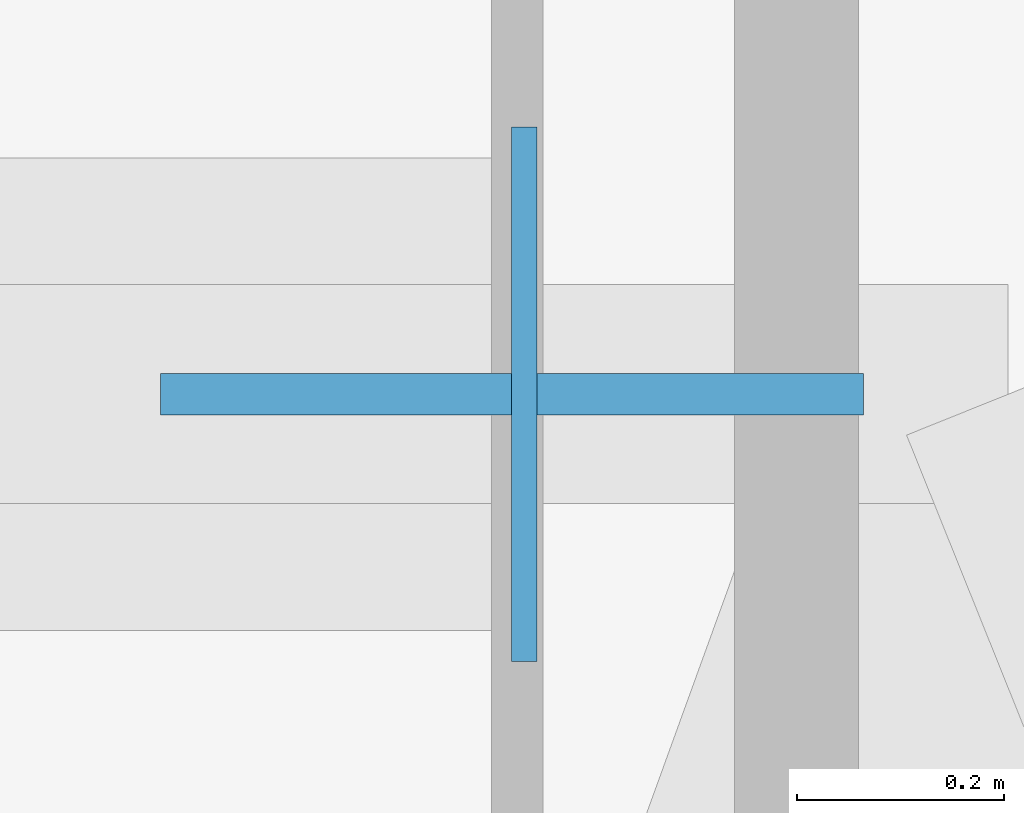
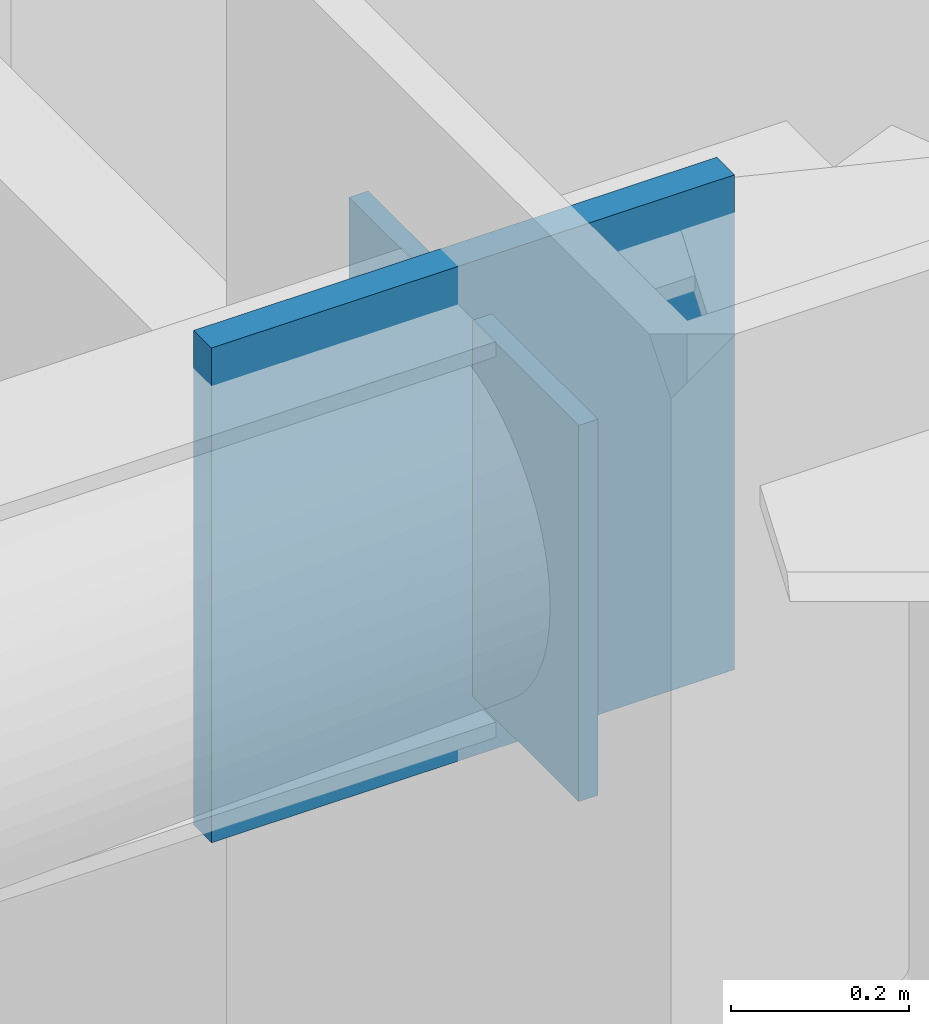
# One storey, part 10 of 19: 2 plates.
"""IFC4 building model written with IfcOpenShell, lengths in metres."""

from ifc_helpers import new_model, si_unit, direction, frame, origin, origin_2d, place, context, subcontext, project, spatial, rectangle, extrude, material, layer, layer_set, type_object, element, save


model = new_model("IFC4")

# Units and contexts
model_context = context("Model", 3, precision=1e-05, world=origin(), true_north=direction((0.0, 1.0)))
body_context = subcontext(model_context, "Body", "Model", "MODEL_VIEW")
ifc_project = project(units=[si_unit("LENGTHUNIT", "METRE"), si_unit("AREAUNIT", "SQUARE_METRE"), si_unit("VOLUMEUNIT", "CUBIC_METRE"), si_unit("PLANEANGLEUNIT", "RADIAN"), si_unit("MASSUNIT", "GRAM", prefix="KILO")], contexts=[model_context])

# Site, building, storey
site_placement = place(None, origin())
site = spatial("IfcSite", under=ifc_project, at=site_placement, CompositionType="ELEMENT")
building_placement = place(site_placement, origin())
building = spatial("IfcBuilding", under=site, at=building_placement, Name="Khamvora Tower", CompositionType="ELEMENT")
storey_placement = place(building_placement, frame((0.0, 0.0, 120.14990234375)))
storey = spatial("IfcBuildingStorey", under=building, at=storey_placement, Name="L30", CompositionType="ELEMENT", Elevation=120.14990234375)

# Plates
ifc_material_1 = material(Name="Steel S355", Category="steel")
ifc_layer_1 = layer(ifc_material_1, 0.02490234375)
ifc_layer_set_1 = layer_set([ifc_layer_1], Name="Steel S355")
plate_type_1 = type_object("IfcPlateType", Name="PL-CAP-25", PredefinedType="SHEET", material=ifc_layer_set_1)
plate_1_placement = place(storey_placement, frame((49.48193359375, 47.300048828125, 2.883544921875), z_axis=(0.0, 0.0, 1.0), x_axis=(1.0, 0.0, 0.0)))
element("IfcPlate", 1, at=plate_1_placement, inside=storey, type_object=plate_type_1, Name="L30 hollow section steel end cap plate 0767", PredefinedType="SHEET", context=body_context, shape_type="SweptSolid", body=[
    extrude(rectangle(XDim=0.02490234375, YDim=0.51708984375, at=origin_2d()), origin(), (0.0, 0.0, 1.0), 0.51708984375),
])
ifc_material_2 = material(Name="Steel S460", Category="steel")
ifc_layer_2 = layer(ifc_material_2, 0.0400390625)
ifc_layer_set_2 = layer_set([ifc_layer_2], Name="Steel S460")
plate_type_2 = type_object("IfcPlateType", Name="PLT-GUS-40", PredefinedType="SHEET", material=ifc_layer_set_2)
plate_2_placement = place(storey_placement, frame((49.469970703125, 47.300048828125, 2.80126953125), z_axis=(0.0, 0.0, 1.0), x_axis=(1.0, 0.0, 0.0)))
element("IfcPlate", 2, at=plate_2_placement, inside=storey, type_object=plate_type_2, Name="L30 brace connection node gusset plate 0200", PredefinedType="SHEET", context=body_context, shape_type="SweptSolid", body=[
    extrude(rectangle(XDim=0.679931640625, YDim=0.0400390625, at=origin_2d()), origin(), (0.0, 0.0, 1.0), 0.679931640625),
])

save(model, "model.ifc")
